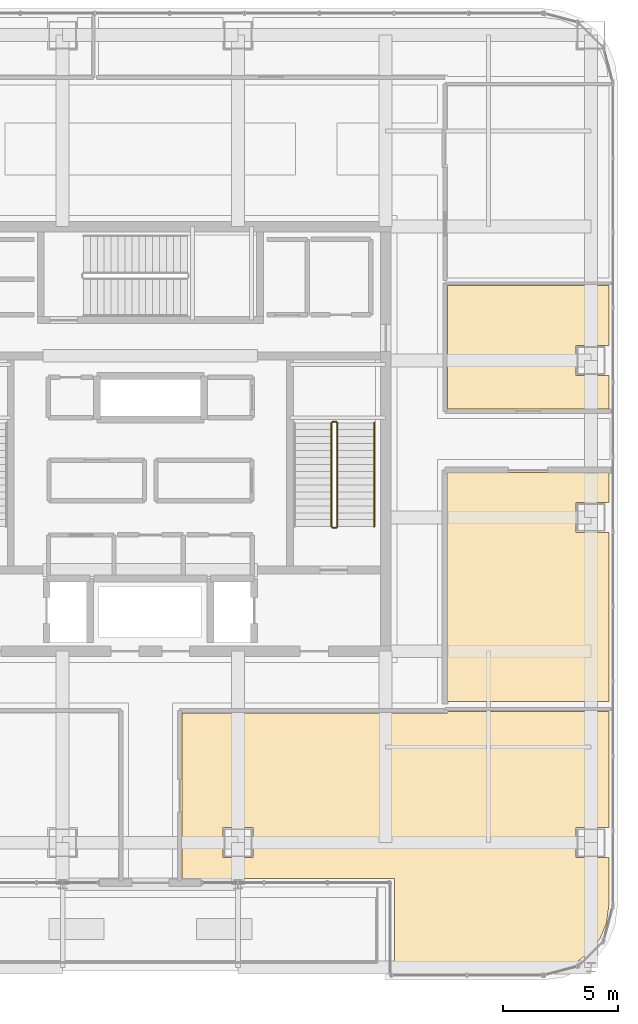
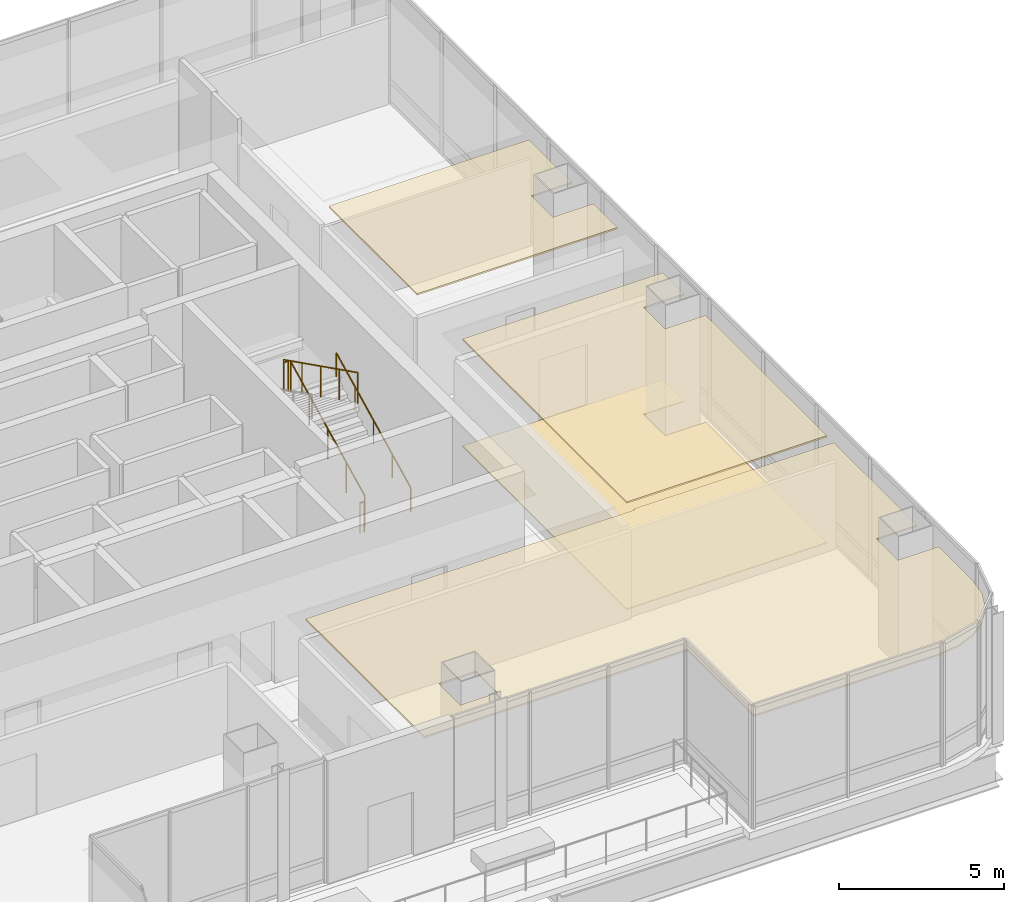
# One storey, part 43 of 44: 5 railings, 4 coverings.
"""IFC4 building model written with IfcOpenShell, lengths in metres."""

from ifc_helpers import new_model, si_unit, direction, frame, origin, origin_2d, place, context, subcontext, project, spatial, polyline, circle, outline, extrude, material, layer, layer_set, type_object, element, save


model = new_model("IFC4")

# Units and contexts
model_context = context("Model", 3, precision=1e-05, world=origin(), true_north=direction((0.0, 1.0)))
body_context = subcontext(model_context, "Body", "Model", "MODEL_VIEW")
ifc_project = project(units=[si_unit("LENGTHUNIT", "METRE"), si_unit("AREAUNIT", "SQUARE_METRE"), si_unit("VOLUMEUNIT", "CUBIC_METRE"), si_unit("PLANEANGLEUNIT", "RADIAN"), si_unit("MASSUNIT", "GRAM", prefix="KILO")], contexts=[model_context])

# Site, building, storey
site_placement = place(None, origin())
site = spatial("IfcSite", under=ifc_project, at=site_placement, CompositionType="ELEMENT")
building_placement = place(site_placement, origin())
building = spatial("IfcBuilding", under=site, at=building_placement, Name="Punatoya Terracotta Tower", CompositionType="ELEMENT")
storey_placement = place(building_placement, frame((0.0, 0.0, 334.199951171875)))
storey = spatial("IfcBuildingStorey", under=building, at=storey_placement, Name="L79", CompositionType="ELEMENT", Elevation=334.199951171875)

# Coverings
ifc_material_1 = material(Name="Acoustic Mineral Fibre Ceiling")
ifc_layer_1 = layer(ifc_material_1, 0.06005859375)
ifc_layer_set_1 = layer_set([ifc_layer_1], Name="Acoustic Mineral Fibre Ceiling")
covering_type_1 = type_object("IfcCoveringType", Name="COV-CEIL-60", PredefinedType="CEILING", material=ifc_layer_set_1)
covering_1_placement = place(storey_placement, frame((0.0, 0.0, 3.929931640625)))
element("IfcCovering", 1, at=covering_1_placement, inside=storey, type_object=covering_type_1, Name="L79 Heritage Collections Curatorial Study Acoustic Ceiling", PredefinedType="CEILING", context=body_context, shape_type="SweptSolid", body=[
    extrude(outline(polyline([(12.8701171875, -11.8701171875), (1.3701171875, -11.8701171875), (1.3701171875, -19.050048828125), (10.580078125, -19.050048828125), (10.580078125, -23.070068359375), (17.025146484375, -23.070068359375), (17.779052734375, -22.970703125), (18.458251953125, -22.689453125), (19.041748046875, -22.24169921875), (19.489501953125, -21.658203125), (19.770751953125, -20.97900390625), (19.8701171875, -20.22509765625), (19.8701171875, -18.14990234375), (18.449951171875, -18.14990234375), (18.449951171875, -16.85009765625), (19.8701171875, -16.85009765625), (19.8701171875, -11.81005859375), (12.8701171875, -11.81005859375), (12.8701171875, -11.8701171875)]), holes=[polyline([(4.449951171875, -16.85009765625), (4.449951171875, -18.14990234375), (3.14990234375, -18.14990234375), (3.14990234375, -16.85009765625), (4.449951171875, -16.85009765625)])]), origin(), (0.0, 0.0, 1.0), 0.06005859375),
])
covering_2_placement = place(storey_placement, frame((0.0, 0.0, 3.929931640625)))
element("IfcCovering", 2, at=covering_2_placement, inside=storey, type_object=covering_type_1, Name="L79 Open-Plan Visitors' Sky Cafe and Bistro Acoustic Ceiling", PredefinedType="CEILING", context=body_context, shape_type="SweptSolid", body=[
    extrude(outline(polyline([(12.8701171875, -1.449951171875), (12.8701171875, -11.389892578125), (19.8701171875, -11.389892578125), (19.8701171875, -4.050048828125), (18.449951171875, -4.050048828125), (18.449951171875, -2.75), (19.8701171875, -2.75), (19.8701171875, -1.449951171875), (12.8701171875, -1.449951171875)])), origin(), (0.0, 0.0, 1.0), 0.06005859375),
])
covering_3_placement = place(storey_placement, frame((0.0, 0.0, 3.929931640625)))
element("IfcCovering", 3, at=covering_3_placement, inside=storey, type_object=covering_type_1, Name="L79 Open-Plan Public Lookout Seminar Room Acoustic Ceiling", PredefinedType="CEILING", context=body_context, shape_type="SweptSolid", body=[
    extrude(outline(polyline([(18.449951171875, 4.050048828125), (19.8701171875, 4.050048828125), (19.8701171875, 6.64990234375), (12.8701171875, 6.64990234375), (12.8701171875, 1.300048828125), (19.8701171875, 1.300048828125), (19.8701171875, 2.75), (18.449951171875, 2.75), (18.449951171875, 4.050048828125)])), origin(), (0.0, 0.0, 1.0), 0.06005859375),
])
ifc_material_2 = material(Name="Sandstone & Raised Access Flooring", Category="masonry")
ifc_layer_2 = layer(ifc_material_2, 0.080078125)
ifc_layer_set_2 = layer_set([ifc_layer_2], Name="Sandstone & Raised Access Flooring")
covering_type_2 = type_object("IfcCoveringType", Name="COV-FLR-80", PredefinedType="FLOORING", material=ifc_layer_set_2)
covering_4_placement = place(storey_placement, origin())
element("IfcCovering", 4, at=covering_4_placement, inside=storey, type_object=covering_type_2, Name="L79 Open-Plan Visitors' Sky Cafe and Bistro Stone Floor Finish", PredefinedType="FLOORING", context=body_context, shape_type="SweptSolid", body=[
    extrude(outline(polyline([(12.8701171875, -1.449951171875), (12.8701171875, -11.389892578125), (19.8701171875, -11.389892578125), (19.8701171875, -4.050048828125), (18.449951171875, -4.050048828125), (18.449951171875, -2.75), (19.8701171875, -2.75), (19.8701171875, -1.449951171875), (12.8701171875, -1.449951171875)])), origin(), (0.0, 0.0, 1.0), 0.0400390625),
])

# Railings
ifc_material_3 = material(Name="Steel S355", Category="steel")
railing_type_1 = type_object("IfcRailingType", Name="RLG-GRD-1150", PredefinedType="GUARDRAIL", material=ifc_material_3)
railing_1_placement = place(storey_placement, frame((8.10009765625, -3.800048828125, 0.150146484375)))
element("IfcRailing", 5, at=railing_1_placement, inside=storey, type_object=railing_type_1, Name="L79 ST-2 stair guard 1", PredefinedType="GUARDRAIL", context=body_context, shape_type="SweptSolid", body=[
    extrude(circle(Radius=0.02392578125, at=origin_2d()), frame((0.0, 0.0, 1.1259765625), z_axis=(0.0, 0.894427191, 0.4472135955), x_axis=(-1.0, 0.0, 0.0)), (0.0, 0.0, 1.0), 5.03125),
    extrude(circle(Radius=0.02099609375, at=origin_2d()), origin(), (0.0, 0.0, 1.0), 1.101806640625),
    extrude(circle(Radius=0.02099609375, at=origin_2d()), frame((0.0, 1.125, 0.5625)), (0.0, 0.0, 1.0), 1.101806640625),
    extrude(circle(Radius=0.02099609375, at=origin_2d()), frame((0.0, 2.25, 1.125)), (0.0, 0.0, 1.0), 1.101806640625),
    extrude(circle(Radius=0.02099609375, at=origin_2d()), frame((0.0, 3.375, 1.6875)), (0.0, 0.0, 1.0), 1.101806640625),
    extrude(circle(Radius=0.02099609375, at=origin_2d()), frame((0.0, 4.5, 2.25)), (0.0, 0.0, 1.0), 1.101806640625),
])
railing_2_placement = place(storey_placement, frame((8.050048828125, 0.75, 2.400146484375)))
element("IfcRailing", 6, at=railing_2_placement, inside=storey, type_object=railing_type_1, Name="L79 ST-2 stair guard 2", PredefinedType="GUARDRAIL", context=body_context, shape_type="SweptSolid", body=[
    extrude(circle(Radius=0.02392578125, at=origin_2d()), frame((0.0, 0.0, 1.1259765625), z_axis=(-1.0, 0.0, 0.0), x_axis=(0.0, -1.0, 0.0)), (0.0, 0.0, 1.0), 0.150146484375),
    extrude(circle(Radius=0.02099609375, at=origin_2d()), origin(), (0.0, 0.0, 1.0), 1.101806640625),
    extrude(circle(Radius=0.02099609375, at=origin_2d()), frame((-0.150146484375, 0.0, 0.0)), (0.0, 0.0, 1.0), 1.101806640625),
])
railing_3_placement = place(storey_placement, frame((7.85009765625, 0.699951171875, 2.550048828125)))
element("IfcRailing", 7, at=railing_3_placement, inside=storey, type_object=railing_type_1, Name="L79 ST-2 stair guard 3", PredefinedType="GUARDRAIL", context=body_context, shape_type="SweptSolid", body=[
    extrude(circle(Radius=0.02392578125, at=origin_2d()), frame((0.0, 0.0, 1.1259765625), z_axis=(0.0, -0.894427191, 0.4472135955), x_axis=(1.0, 0.0, 0.0)), (0.0, 0.0, 1.0), 5.03125),
    extrude(circle(Radius=0.02099609375, at=origin_2d()), origin(), (0.0, 0.0, 1.0), 1.101806640625),
    extrude(circle(Radius=0.02099609375, at=origin_2d()), frame((0.0, -1.125, 0.5625)), (0.0, 0.0, 1.0), 1.101806640625),
    extrude(circle(Radius=0.02099609375, at=origin_2d()), frame((0.0, -2.25, 1.125)), (0.0, 0.0, 1.0), 1.101806640625),
    extrude(circle(Radius=0.02099609375, at=origin_2d()), frame((0.0, -3.375, 1.6875)), (0.0, 0.0, 1.0), 1.101806640625),
    extrude(circle(Radius=0.02099609375, at=origin_2d()), frame((0.0, -4.5, 2.25)), (0.0, 0.0, 1.0), 1.101806640625),
])
railing_4_placement = place(storey_placement, frame((8.050048828125, -3.85009765625, 0.0)))
element("IfcRailing", 8, at=railing_4_placement, inside=storey, type_object=railing_type_1, Name="L79 ST-2 stair guard 4", PredefinedType="GUARDRAIL", context=body_context, shape_type="SweptSolid", body=[
    extrude(circle(Radius=0.02392578125, at=origin_2d()), frame((0.0, 0.0, 1.1259765625), z_axis=(-1.0, 0.0, 0.0), x_axis=(0.0, -1.0, 0.0)), (0.0, 0.0, 1.0), 0.150146484375),
    extrude(circle(Radius=0.02099609375, at=origin_2d()), origin(), (0.0, 0.0, 1.0), 1.101806640625),
    extrude(circle(Radius=0.02099609375, at=origin_2d()), frame((-0.150146484375, 0.0, 0.0)), (0.0, 0.0, 1.0), 1.101806640625),
])
railing_type_2 = type_object("IfcRailingType", Name="RLG-HND-900", PredefinedType="HANDRAIL", material=ifc_material_3)
railing_5_placement = place(storey_placement, frame((9.699951171875, -3.800048828125, 0.150146484375)))
element("IfcRailing", 9, at=railing_5_placement, inside=storey, type_object=railing_type_2, Name="L79 ST-2 stair handrail 1", PredefinedType="HANDRAIL", context=body_context, shape_type="SweptSolid", body=[
    extrude(circle(Radius=0.02392578125, at=origin_2d()), frame((0.0, 0.0, 0.8759765625), z_axis=(0.0, 0.894427191, 0.4472135955), x_axis=(-1.0, 0.0, 0.0)), (0.0, 0.0, 1.0), 5.03125),
    extrude(circle(Radius=0.02099609375, at=origin_2d()), origin(), (0.0, 0.0, 1.0), 0.851806640625),
    extrude(circle(Radius=0.02099609375, at=origin_2d()), frame((0.0, 1.125, 0.5625)), (0.0, 0.0, 1.0), 0.851806640625),
    extrude(circle(Radius=0.02099609375, at=origin_2d()), frame((0.0, 2.25, 1.125)), (0.0, 0.0, 1.0), 0.851806640625),
    extrude(circle(Radius=0.02099609375, at=origin_2d()), frame((0.0, 3.375, 1.6875)), (0.0, 0.0, 1.0), 0.851806640625),
    extrude(circle(Radius=0.02099609375, at=origin_2d()), frame((0.0, 4.5, 2.25)), (0.0, 0.0, 1.0), 0.851806640625),
])

save(model, "model.ifc")
